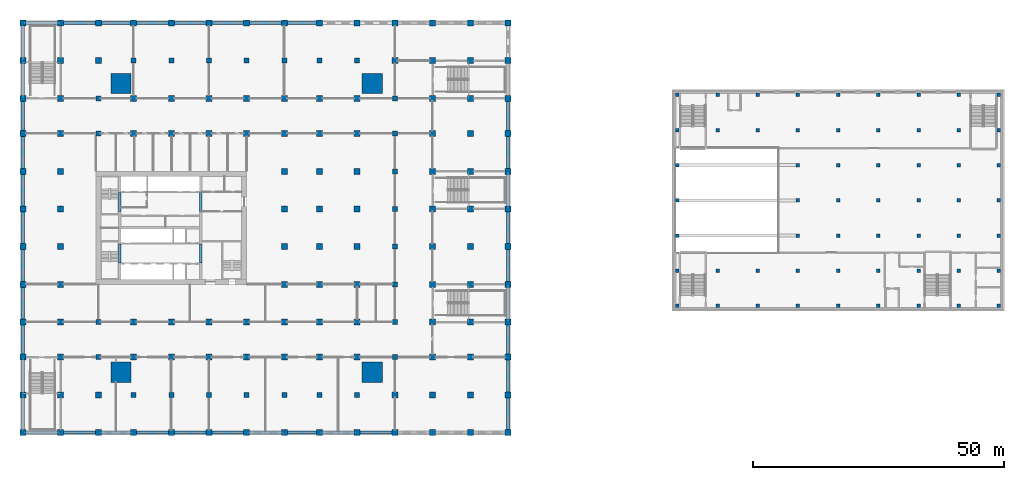
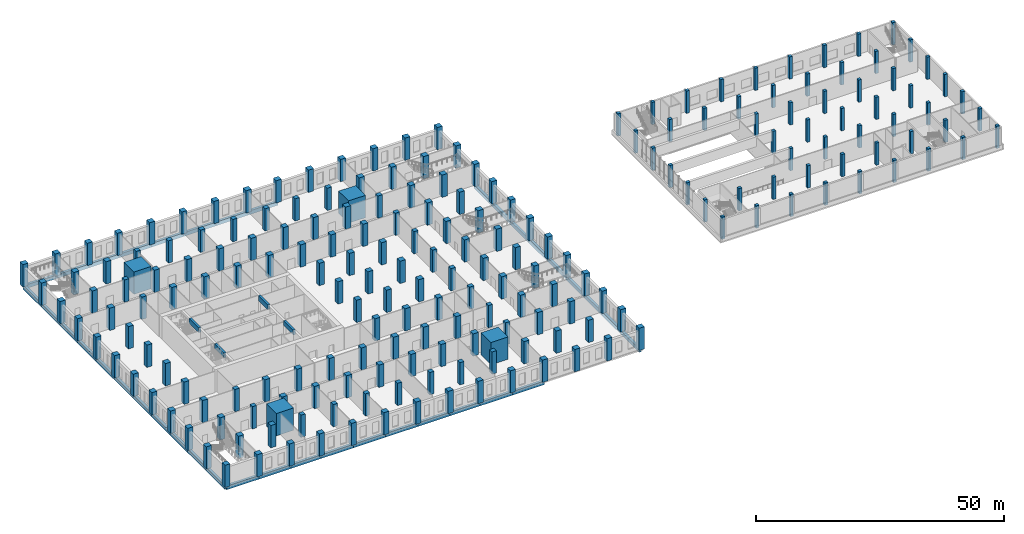
# One storey, part 1 of 35: 209 columns, 42 beams.
"""IFC4 building model written with IfcOpenShell, lengths in metres."""

from ifc_helpers import new_model, si_unit, direction, frame, origin, origin_2d, place, context, subcontext, project, spatial, rectangle, extrude, material, material_profile, profile_set, type_object, element, save


model = new_model("IFC4")

# Units and contexts
model_context = context("Model", 3, precision=1e-05, world=origin(), true_north=direction((0.0, 1.0)))
body_context = subcontext(model_context, "Body", "Model", "MODEL_VIEW")
ifc_project = project(units=[si_unit("LENGTHUNIT", "METRE"), si_unit("AREAUNIT", "SQUARE_METRE"), si_unit("VOLUMEUNIT", "CUBIC_METRE"), si_unit("PLANEANGLEUNIT", "RADIAN"), si_unit("MASSUNIT", "GRAM", prefix="KILO")], contexts=[model_context])

# Site, building, storey
site_placement = place(None, origin())
site = spatial("IfcSite", under=ifc_project, at=site_placement, CompositionType="ELEMENT")
building_placement = place(site_placement, origin())
building = spatial("IfcBuilding", under=site, at=building_placement, Name="Tamorin Gate", CompositionType="ELEMENT")
storey_placement = place(building_placement, frame((0.0, 0.0, 8.0)))
storey = spatial("IfcBuildingStorey", under=building, at=storey_placement, Name="L01", CompositionType="ELEMENT", Elevation=8.0)

# Columns
ifc_material_1 = material(Name="Concrete C80/95", Category="concrete")
ifc_material_profile_1 = material_profile(ifc_material_1, rectangle(XDim=1.0, YDim=1.0, at=origin_2d()), Name="RC 1000x1000")
ifc_profile_set_1 = profile_set([ifc_material_profile_1], Name="Concrete C80/95")
column_type_1 = type_object("IfcColumnType", Name="RC column 1000x1000 C80/95", PredefinedType="COLUMN", material=ifc_profile_set_1)
for number, where, z_axis, x_axis, name in (
    (1, (30.5, 45.5, 0.0), (0.0, 0.0, 1.0), (1.0, 0.0, 0.0), "Ring column L01"),
    (2, (30.5, 52.5, 0.0), (0.0, 0.0, 1.0), (1.0, 0.0, 0.0), "Ring column L01"),
    (3, (30.5, 90.0, 0.0), (0.0, 0.0, 1.0), (1.0, 0.0, 0.0), "Ring column L01"),
    (4, (30.5, 97.0, 0.0), (0.0, 0.0, 1.0), (1.0, 0.0, 0.0), "Ring column L01"),
    (5, (37.5, 38.0, 0.0), (0.0, 0.0, 1.0), (1.0, 0.0, 0.0), "Ring column L01"),
    (6, (37.5, 104.5, 0.0), (0.0, 0.0, 1.0), (1.0, 0.0, 0.0), "Ring column L01"),
    (7, (45.0, 38.0, 0.0), (0.0, 0.0, 1.0), (1.0, 0.0, 0.0), "Ring column L01"),
    (8, (45.0, 104.5, 0.0), (0.0, 0.0, 1.0), (1.0, 0.0, 0.0), "Ring column L01"),
    (9, (52.5, 38.0, 0.0), (0.0, 0.0, 1.0), (1.0, 0.0, 0.0), "Ring column L01"),
    (10, (52.5, 104.5, 0.0), (0.0, 0.0, 1.0), (1.0, 0.0, 0.0), "Ring column L01"),
    (11, (60.0, 38.0, 0.0), (0.0, 0.0, 1.0), (1.0, 0.0, 0.0), "Ring column L01"),
    (12, (60.0, 104.5, 0.0), (0.0, 0.0, 1.0), (1.0, 0.0, 0.0), "Ring column L01"),
    (13, (67.5, 38.0, 0.0), (0.0, 0.0, 1.0), (1.0, 0.0, 0.0), "Ring column L01"),
    (14, (67.5, 104.5, 0.0), (0.0, 0.0, 1.0), (1.0, 0.0, 0.0), "Ring column L01"),
    (15, (74.5, 38.0, 0.0), (0.0, 0.0, 1.0), (1.0, 0.0, 0.0), "Ring column L01"),
    (16, (74.5, 104.5, 0.0), (0.0, 0.0, 1.0), (1.0, 0.0, 0.0), "Ring column L01"),
    (17, (82.0, 38.0, 0.0), (0.0, 0.0, 1.0), (1.0, 0.0, 0.0), "Ring column L01"),
    (18, (82.0, 104.5, 0.0), (0.0, 0.0, 1.0), (1.0, 0.0, 0.0), "Ring column L01"),
    (19, (89.5, 45.5, 0.0), (0.0, 0.0, 1.0), (1.0, 0.0, 0.0), "Ring column L01"),
    (20, (89.5, 52.5, 0.0), (0.0, 0.0, 1.0), (1.0, 0.0, 0.0), "Ring column L01"),
    (21, (89.5, 60.0, 0.0), (0.0, 0.0, 1.0), (1.0, 0.0, 0.0), "Ring column L01"),
    (22, (89.5, 67.5, 0.0), (0.0, 0.0, 1.0), (1.0, 0.0, 0.0), "Ring column L01"),
    (23, (89.5, 75.0, 0.0), (0.0, 0.0, 1.0), (1.0, 0.0, 0.0), "Ring column L01"),
    (24, (89.5, 82.5, 0.0), (0.0, 0.0, 1.0), (1.0, 0.0, 0.0), "Ring column L01"),
    (25, (89.5, 90.0, 0.0), (0.0, 0.0, 1.0), (1.0, 0.0, 0.0), "Ring column L01"),
    (26, (89.5, 97.0, 0.0), (0.0, 0.0, 1.0), (1.0, 0.0, 0.0), "Ring column L01"),
):
    element("IfcColumn", number, at=place(storey_placement, frame(where, z_axis=z_axis, x_axis=x_axis)), inside=storey, type_object=column_type_1, Name=name, PredefinedType="COLUMN", context=body_context, shape_type="SweptSolid", body=[
        extrude(rectangle(XDim=1.0, YDim=1.0, at=origin_2d()), origin(), (0.0, 0.0, 1.0), 5.5),
    ])
ifc_material_profile_2 = material_profile(ifc_material_1, rectangle(XDim=1.199951171875, YDim=1.199951171875, at=origin_2d()), Name="RC 1200x1200")
ifc_profile_set_2 = profile_set([ifc_material_profile_2], Name="Concrete C80/95")
column_type_2 = type_object("IfcColumnType", Name="RC column 1200x1200 C80/95", PredefinedType="COLUMN", material=ifc_profile_set_2)
for number, where, z_axis, x_axis, name in (
    (27, (37.5, 45.5, 0.0), (0.0, 0.0, 1.0), (1.0, 0.0, 0.0), "Interior column L01"),
    (28, (37.5, 52.5, 0.0), (0.0, 0.0, 1.0), (1.0, 0.0, 0.0), "Interior column L01"),
    (29, (37.5, 90.0, 0.0), (0.0, 0.0, 1.0), (1.0, 0.0, 0.0), "Interior column L01"),
    (30, (37.5, 97.0, 0.0), (0.0, 0.0, 1.0), (1.0, 0.0, 0.0), "Interior column L01"),
    (31, (45.0, 45.5, 0.0), (0.0, 0.0, 1.0), (1.0, 0.0, 0.0), "Interior column L01"),
    (32, (45.0, 52.5, 0.0), (0.0, 0.0, 1.0), (1.0, 0.0, 0.0), "Interior column L01"),
    (33, (45.0, 90.0, 0.0), (0.0, 0.0, 1.0), (1.0, 0.0, 0.0), "Interior column L01"),
    (34, (45.0, 97.0, 0.0), (0.0, 0.0, 1.0), (1.0, 0.0, 0.0), "Interior column L01"),
    (35, (52.5, 45.5, 0.0), (0.0, 0.0, 1.0), (1.0, 0.0, 0.0), "Interior column L01"),
    (36, (52.5, 52.5, 0.0), (0.0, 0.0, 1.0), (1.0, 0.0, 0.0), "Interior column L01"),
    (37, (52.5, 90.0, 0.0), (0.0, 0.0, 1.0), (1.0, 0.0, 0.0), "Interior column L01"),
    (38, (52.5, 97.0, 0.0), (0.0, 0.0, 1.0), (1.0, 0.0, 0.0), "Interior column L01"),
    (39, (60.0, 45.5, 0.0), (0.0, 0.0, 1.0), (1.0, 0.0, 0.0), "Interior column L01"),
    (40, (60.0, 52.5, 0.0), (0.0, 0.0, 1.0), (1.0, 0.0, 0.0), "Interior column L01"),
    (41, (60.0, 90.0, 0.0), (0.0, 0.0, 1.0), (1.0, 0.0, 0.0), "Interior column L01"),
    (42, (60.0, 97.0, 0.0), (0.0, 0.0, 1.0), (1.0, 0.0, 0.0), "Interior column L01"),
    (43, (67.5, 45.5, 0.0), (0.0, 0.0, 1.0), (1.0, 0.0, 0.0), "Interior column L01"),
    (44, (67.5, 52.5, 0.0), (0.0, 0.0, 1.0), (1.0, 0.0, 0.0), "Interior column L01"),
    (45, (67.5, 60.0, 0.0), (0.0, 0.0, 1.0), (1.0, 0.0, 0.0), "Interior column L01"),
    (46, (67.5, 67.5, 0.0), (0.0, 0.0, 1.0), (1.0, 0.0, 0.0), "Interior column L01"),
    (47, (67.5, 75.0, 0.0), (0.0, 0.0, 1.0), (1.0, 0.0, 0.0), "Interior column L01"),
    (48, (67.5, 82.5, 0.0), (0.0, 0.0, 1.0), (1.0, 0.0, 0.0), "Interior column L01"),
    (49, (67.5, 90.0, 0.0), (0.0, 0.0, 1.0), (1.0, 0.0, 0.0), "Interior column L01"),
    (50, (67.5, 97.0, 0.0), (0.0, 0.0, 1.0), (1.0, 0.0, 0.0), "Interior column L01"),
    (51, (74.5, 45.5, 0.0), (0.0, 0.0, 1.0), (1.0, 0.0, 0.0), "Interior column L01"),
    (52, (74.5, 52.5, 0.0), (0.0, 0.0, 1.0), (1.0, 0.0, 0.0), "Interior column L01"),
    (53, (74.5, 60.0, 0.0), (0.0, 0.0, 1.0), (1.0, 0.0, 0.0), "Interior column L01"),
    (54, (74.5, 67.5, 0.0), (0.0, 0.0, 1.0), (1.0, 0.0, 0.0), "Interior column L01"),
    (55, (74.5, 75.0, 0.0), (0.0, 0.0, 1.0), (1.0, 0.0, 0.0), "Interior column L01"),
    (56, (74.5, 82.5, 0.0), (0.0, 0.0, 1.0), (1.0, 0.0, 0.0), "Interior column L01"),
    (57, (74.5, 90.0, 0.0), (0.0, 0.0, 1.0), (1.0, 0.0, 0.0), "Interior column L01"),
    (58, (74.5, 97.0, 0.0), (0.0, 0.0, 1.0), (1.0, 0.0, 0.0), "Interior column L01"),
    (59, (82.0, 45.5, 0.0), (0.0, 0.0, 1.0), (1.0, 0.0, 0.0), "Interior column L01"),
    (60, (82.0, 52.5, 0.0), (0.0, 0.0, 1.0), (1.0, 0.0, 0.0), "Interior column L01"),
    (61, (82.0, 60.0, 0.0), (0.0, 0.0, 1.0), (1.0, 0.0, 0.0), "Interior column L01"),
    (62, (82.0, 67.5, 0.0), (0.0, 0.0, 1.0), (1.0, 0.0, 0.0), "Interior column L01"),
    (63, (82.0, 75.0, 0.0), (0.0, 0.0, 1.0), (1.0, 0.0, 0.0), "Interior column L01"),
    (64, (82.0, 82.5, 0.0), (0.0, 0.0, 1.0), (1.0, 0.0, 0.0), "Interior column L01"),
    (65, (82.0, 90.0, 0.0), (0.0, 0.0, 1.0), (1.0, 0.0, 0.0), "Interior column L01"),
    (66, (82.0, 97.0, 0.0), (0.0, 0.0, 1.0), (1.0, 0.0, 0.0), "Interior column L01"),
    (67, (15.5, 30.5, 0.0), (0.0, 0.0, 1.0), (1.0, 0.0, 0.0), "Podium column L01"),
    (68, (15.5, 38.0, 0.0), (0.0, 0.0, 1.0), (1.0, 0.0, 0.0), "Podium column L01"),
    (69, (15.5, 45.5, 0.0), (0.0, 0.0, 1.0), (1.0, 0.0, 0.0), "Podium column L01"),
    (70, (15.5, 52.5, 0.0), (0.0, 0.0, 1.0), (1.0, 0.0, 0.0), "Podium column L01"),
    (71, (15.5, 60.0, 0.0), (0.0, 0.0, 1.0), (1.0, 0.0, 0.0), "Podium column L01"),
    (72, (15.5, 67.5, 0.0), (0.0, 0.0, 1.0), (1.0, 0.0, 0.0), "Podium column L01"),
    (73, (15.5, 75.0, 0.0), (0.0, 0.0, 1.0), (1.0, 0.0, 0.0), "Podium column L01"),
    (74, (15.5, 82.5, 0.0), (0.0, 0.0, 1.0), (1.0, 0.0, 0.0), "Podium column L01"),
    (75, (15.5, 90.0, 0.0), (0.0, 0.0, 1.0), (1.0, 0.0, 0.0), "Podium column L01"),
    (76, (15.5, 97.0, 0.0), (0.0, 0.0, 1.0), (1.0, 0.0, 0.0), "Podium column L01"),
    (77, (15.5, 104.5, 0.0), (0.0, 0.0, 1.0), (1.0, 0.0, 0.0), "Podium column L01"),
    (78, (15.5, 112.0, 0.0), (0.0, 0.0, 1.0), (1.0, 0.0, 0.0), "Podium column L01"),
    (79, (23.0, 30.5, 0.0), (0.0, 0.0, 1.0), (1.0, 0.0, 0.0), "Podium column L01"),
    (80, (23.0, 38.0, 0.0), (0.0, 0.0, 1.0), (1.0, 0.0, 0.0), "Podium column L01"),
    (81, (23.0, 45.5, 0.0), (0.0, 0.0, 1.0), (1.0, 0.0, 0.0), "Podium column L01"),
    (82, (23.0, 52.5, 0.0), (0.0, 0.0, 1.0), (1.0, 0.0, 0.0), "Podium column L01"),
    (83, (23.0, 60.0, 0.0), (0.0, 0.0, 1.0), (1.0, 0.0, 0.0), "Podium column L01"),
    (84, (23.0, 67.5, 0.0), (0.0, 0.0, 1.0), (1.0, 0.0, 0.0), "Podium column L01"),
    (85, (23.0, 75.0, 0.0), (0.0, 0.0, 1.0), (1.0, 0.0, 0.0), "Podium column L01"),
    (86, (23.0, 82.5, 0.0), (0.0, 0.0, 1.0), (1.0, 0.0, 0.0), "Podium column L01"),
    (87, (23.0, 90.0, 0.0), (0.0, 0.0, 1.0), (1.0, 0.0, 0.0), "Podium column L01"),
    (88, (23.0, 97.0, 0.0), (0.0, 0.0, 1.0), (1.0, 0.0, 0.0), "Podium column L01"),
    (89, (23.0, 104.5, 0.0), (0.0, 0.0, 1.0), (1.0, 0.0, 0.0), "Podium column L01"),
    (90, (23.0, 112.0, 0.0), (0.0, 0.0, 1.0), (1.0, 0.0, 0.0), "Podium column L01"),
    (91, (30.5, 30.5, 0.0), (0.0, 0.0, 1.0), (1.0, 0.0, 0.0), "Podium column L01"),
    (92, (30.5, 38.0, 0.0), (0.0, 0.0, 1.0), (1.0, 0.0, 0.0), "Podium column L01"),
    (93, (30.5, 104.5, 0.0), (0.0, 0.0, 1.0), (1.0, 0.0, 0.0), "Podium column L01"),
    (94, (30.5, 112.0, 0.0), (0.0, 0.0, 1.0), (1.0, 0.0, 0.0), "Podium column L01"),
    (95, (37.5, 30.5, 0.0), (0.0, 0.0, 1.0), (1.0, 0.0, 0.0), "Podium column L01"),
    (96, (37.5, 112.0, 0.0), (0.0, 0.0, 1.0), (1.0, 0.0, 0.0), "Podium column L01"),
    (97, (45.0, 30.5, 0.0), (0.0, 0.0, 1.0), (1.0, 0.0, 0.0), "Podium column L01"),
    (98, (45.0, 112.0, 0.0), (0.0, 0.0, 1.0), (1.0, 0.0, 0.0), "Podium column L01"),
    (99, (52.5, 30.5, 0.0), (0.0, 0.0, 1.0), (1.0, 0.0, 0.0), "Podium column L01"),
    (100, (52.5, 112.0, 0.0), (0.0, 0.0, 1.0), (1.0, 0.0, 0.0), "Podium column L01"),
    (101, (60.0, 30.5, 0.0), (0.0, 0.0, 1.0), (1.0, 0.0, 0.0), "Podium column L01"),
    (102, (60.0, 112.0, 0.0), (0.0, 0.0, 1.0), (1.0, 0.0, 0.0), "Podium column L01"),
    (103, (67.5, 30.5, 0.0), (0.0, 0.0, 1.0), (1.0, 0.0, 0.0), "Podium column L01"),
    (104, (67.5, 112.0, 0.0), (0.0, 0.0, 1.0), (1.0, 0.0, 0.0), "Podium column L01"),
    (105, (74.5, 30.5, 0.0), (0.0, 0.0, 1.0), (1.0, 0.0, 0.0), "Podium column L01"),
    (106, (74.5, 112.0, 0.0), (0.0, 0.0, 1.0), (1.0, 0.0, 0.0), "Podium column L01"),
    (107, (82.0, 30.5, 0.0), (0.0, 0.0, 1.0), (1.0, 0.0, 0.0), "Podium column L01"),
    (108, (82.0, 112.0, 0.0), (0.0, 0.0, 1.0), (1.0, 0.0, 0.0), "Podium column L01"),
    (109, (89.5, 30.5, 0.0), (0.0, 0.0, 1.0), (1.0, 0.0, 0.0), "Podium column L01"),
    (110, (89.5, 38.0, 0.0), (0.0, 0.0, 1.0), (1.0, 0.0, 0.0), "Podium column L01"),
    (111, (89.5, 104.5, 0.0), (0.0, 0.0, 1.0), (1.0, 0.0, 0.0), "Podium column L01"),
    (112, (89.5, 112.0, 0.0), (0.0, 0.0, 1.0), (1.0, 0.0, 0.0), "Podium column L01"),
    (113, (97.0, 30.5, 0.0), (0.0, 0.0, 1.0), (1.0, 0.0, 0.0), "Podium column L01"),
    (114, (97.0, 38.0, 0.0), (0.0, 0.0, 1.0), (1.0, 0.0, 0.0), "Podium column L01"),
    (115, (97.0, 45.5, 0.0), (0.0, 0.0, 1.0), (1.0, 0.0, 0.0), "Podium column L01"),
    (116, (97.0, 52.5, 0.0), (0.0, 0.0, 1.0), (1.0, 0.0, 0.0), "Podium column L01"),
    (117, (97.0, 60.0, 0.0), (0.0, 0.0, 1.0), (1.0, 0.0, 0.0), "Podium column L01"),
    (118, (97.0, 67.5, 0.0), (0.0, 0.0, 1.0), (1.0, 0.0, 0.0), "Podium column L01"),
    (119, (97.0, 75.0, 0.0), (0.0, 0.0, 1.0), (1.0, 0.0, 0.0), "Podium column L01"),
    (120, (97.0, 82.5, 0.0), (0.0, 0.0, 1.0), (1.0, 0.0, 0.0), "Podium column L01"),
    (121, (97.0, 90.0, 0.0), (0.0, 0.0, 1.0), (1.0, 0.0, 0.0), "Podium column L01"),
    (122, (97.0, 97.0, 0.0), (0.0, 0.0, 1.0), (1.0, 0.0, 0.0), "Podium column L01"),
    (123, (97.0, 104.5, 0.0), (0.0, 0.0, 1.0), (1.0, 0.0, 0.0), "Podium column L01"),
    (124, (97.0, 112.0, 0.0), (0.0, 0.0, 1.0), (1.0, 0.0, 0.0), "Podium column L01"),
    (125, (104.5, 30.5, 0.0), (0.0, 0.0, 1.0), (1.0, 0.0, 0.0), "Podium column L01"),
    (126, (104.5, 38.0, 0.0), (0.0, 0.0, 1.0), (1.0, 0.0, 0.0), "Podium column L01"),
    (127, (104.5, 45.5, 0.0), (0.0, 0.0, 1.0), (1.0, 0.0, 0.0), "Podium column L01"),
    (128, (104.5, 52.5, 0.0), (0.0, 0.0, 1.0), (1.0, 0.0, 0.0), "Podium column L01"),
    (129, (104.5, 60.0, 0.0), (0.0, 0.0, 1.0), (1.0, 0.0, 0.0), "Podium column L01"),
    (130, (104.5, 67.5, 0.0), (0.0, 0.0, 1.0), (1.0, 0.0, 0.0), "Podium column L01"),
    (131, (104.5, 75.0, 0.0), (0.0, 0.0, 1.0), (1.0, 0.0, 0.0), "Podium column L01"),
    (132, (104.5, 82.5, 0.0), (0.0, 0.0, 1.0), (1.0, 0.0, 0.0), "Podium column L01"),
    (133, (104.5, 90.0, 0.0), (0.0, 0.0, 1.0), (1.0, 0.0, 0.0), "Podium column L01"),
    (134, (104.5, 97.0, 0.0), (0.0, 0.0, 1.0), (1.0, 0.0, 0.0), "Podium column L01"),
    (135, (104.5, 104.5, 0.0), (0.0, 0.0, 1.0), (1.0, 0.0, 0.0), "Podium column L01"),
    (136, (104.5, 112.0, 0.0), (0.0, 0.0, 1.0), (1.0, 0.0, 0.0), "Podium column L01"),
    (137, (112.0, 30.5, 0.0), (0.0, 0.0, 1.0), (1.0, 0.0, 0.0), "Podium column L01"),
    (138, (112.0, 38.0, 0.0), (0.0, 0.0, 1.0), (1.0, 0.0, 0.0), "Podium column L01"),
    (139, (112.0, 45.5, 0.0), (0.0, 0.0, 1.0), (1.0, 0.0, 0.0), "Podium column L01"),
    (140, (112.0, 52.5, 0.0), (0.0, 0.0, 1.0), (1.0, 0.0, 0.0), "Podium column L01"),
    (141, (112.0, 60.0, 0.0), (0.0, 0.0, 1.0), (1.0, 0.0, 0.0), "Podium column L01"),
    (142, (112.0, 67.5, 0.0), (0.0, 0.0, 1.0), (1.0, 0.0, 0.0), "Podium column L01"),
    (143, (112.0, 75.0, 0.0), (0.0, 0.0, 1.0), (1.0, 0.0, 0.0), "Podium column L01"),
    (144, (112.0, 82.5, 0.0), (0.0, 0.0, 1.0), (1.0, 0.0, 0.0), "Podium column L01"),
    (145, (112.0, 90.0, 0.0), (0.0, 0.0, 1.0), (1.0, 0.0, 0.0), "Podium column L01"),
    (146, (112.0, 97.0, 0.0), (0.0, 0.0, 1.0), (1.0, 0.0, 0.0), "Podium column L01"),
    (147, (112.0, 104.5, 0.0), (0.0, 0.0, 1.0), (1.0, 0.0, 0.0), "Podium column L01"),
    (148, (112.0, 112.0, 0.0), (0.0, 0.0, 1.0), (1.0, 0.0, 0.0), "Podium column L01"),
):
    element("IfcColumn", number, at=place(storey_placement, frame(where, z_axis=z_axis, x_axis=x_axis)), inside=storey, type_object=column_type_2, Name=name, PredefinedType="COLUMN", context=body_context, shape_type="SweptSolid", body=[
        extrude(rectangle(XDim=1.199951171875, YDim=1.199951171875, at=origin_2d()), origin(), (0.0, 0.0, 1.0), 5.5),
    ])
ifc_material_profile_3 = material_profile(ifc_material_1, rectangle(XDim=4.0, YDim=4.0, at=origin_2d()), Name="RC 4000x4000")
ifc_profile_set_3 = profile_set([ifc_material_profile_3], Name="Concrete C80/95")
column_type_3 = type_object("IfcColumnType", Name="RC column 4000x4000 C80/95", PredefinedType="COLUMN", material=ifc_profile_set_3)
for number, where, z_axis, x_axis, name in (
    (149, (35.0, 42.5, 0.0), (0.0, 0.0, 1.0), (1.0, 0.0, 0.0), "Mega column SW L01"),
    (150, (85.0, 42.5, 0.0), (0.0, 0.0, 1.0), (1.0, 0.0, 0.0), "Mega column SE L01"),
    (151, (35.0, 100.0, 0.0), (0.0, 0.0, 1.0), (1.0, 0.0, 0.0), "Mega column NW L01"),
    (152, (85.0, 100.0, 0.0), (0.0, 0.0, 1.0), (1.0, 0.0, 0.0), "Mega column NE L01"),
):
    element("IfcColumn", number, at=place(storey_placement, frame(where, z_axis=z_axis, x_axis=x_axis)), inside=storey, type_object=column_type_3, Name=name, PredefinedType="COLUMN", context=body_context, shape_type="SweptSolid", body=[
        extrude(rectangle(XDim=4.0, YDim=4.0, at=origin_2d()), origin(), (0.0, 0.0, 1.0), 5.5),
    ])
ifc_material_2 = material(Name="Concrete C50/60", Category="concrete")
ifc_material_profile_4 = material_profile(ifc_material_2, rectangle(XDim=0.699951171875, YDim=0.699951171875, at=origin_2d()), Name="RC 700x700")
ifc_profile_set_4 = profile_set([ifc_material_profile_4], Name="Concrete C50/60")
column_type_4 = type_object("IfcColumnType", Name="RC column 700x700 C50/60", PredefinedType="COLUMN", material=ifc_profile_set_4)
for number, where, z_axis, x_axis, name in (
    (153, (145.699951171875, 55.699951171875, 0.0), (0.0, 0.0, 1.0), (1.0, 0.0, 0.0), "Museum column L01"),
    (154, (145.699951171875, 62.699951171875, 0.0), (0.0, 0.0, 1.0), (1.0, 0.0, 0.0), "Museum column L01"),
    (155, (145.699951171875, 69.699951171875, 0.0), (0.0, 0.0, 1.0), (1.0, 0.0, 0.0), "Museum column L01"),
    (156, (145.699951171875, 76.699951171875, 0.0), (0.0, 0.0, 1.0), (1.0, 0.0, 0.0), "Museum column L01"),
    (157, (145.699951171875, 83.699951171875, 0.0), (0.0, 0.0, 1.0), (1.0, 0.0, 0.0), "Museum column L01"),
    (158, (145.699951171875, 90.699951171875, 0.0), (0.0, 0.0, 1.0), (1.0, 0.0, 0.0), "Museum column L01"),
    (159, (145.699951171875, 97.699951171875, 0.0), (0.0, 0.0, 1.0), (1.0, 0.0, 0.0), "Museum column L01"),
    (160, (153.699951171875, 55.699951171875, 0.0), (0.0, 0.0, 1.0), (1.0, 0.0, 0.0), "Museum column L01"),
    (161, (153.699951171875, 62.699951171875, 0.0), (0.0, 0.0, 1.0), (1.0, 0.0, 0.0), "Museum column L01"),
    (162, (153.699951171875, 90.699951171875, 0.0), (0.0, 0.0, 1.0), (1.0, 0.0, 0.0), "Museum column L01"),
    (163, (153.699951171875, 97.699951171875, 0.0), (0.0, 0.0, 1.0), (1.0, 0.0, 0.0), "Museum column L01"),
    (164, (161.699951171875, 55.699951171875, 0.0), (0.0, 0.0, 1.0), (1.0, 0.0, 0.0), "Museum column L01"),
    (165, (161.699951171875, 62.699951171875, 0.0), (0.0, 0.0, 1.0), (1.0, 0.0, 0.0), "Museum column L01"),
    (166, (161.699951171875, 90.699951171875, 0.0), (0.0, 0.0, 1.0), (1.0, 0.0, 0.0), "Museum column L01"),
    (167, (161.699951171875, 97.699951171875, 0.0), (0.0, 0.0, 1.0), (1.0, 0.0, 0.0), "Museum column L01"),
    (168, (169.699951171875, 55.699951171875, 0.0), (0.0, 0.0, 1.0), (1.0, 0.0, 0.0), "Museum column L01"),
    (169, (169.699951171875, 62.699951171875, 0.0), (0.0, 0.0, 1.0), (1.0, 0.0, 0.0), "Museum column L01"),
    (170, (169.699951171875, 69.699951171875, 0.0), (0.0, 0.0, 1.0), (1.0, 0.0, 0.0), "Museum column L01"),
    (171, (169.699951171875, 76.699951171875, 0.0), (0.0, 0.0, 1.0), (1.0, 0.0, 0.0), "Museum column L01"),
    (172, (169.699951171875, 83.699951171875, 0.0), (0.0, 0.0, 1.0), (1.0, 0.0, 0.0), "Museum column L01"),
    (173, (169.699951171875, 90.699951171875, 0.0), (0.0, 0.0, 1.0), (1.0, 0.0, 0.0), "Museum column L01"),
    (174, (169.699951171875, 97.699951171875, 0.0), (0.0, 0.0, 1.0), (1.0, 0.0, 0.0), "Museum column L01"),
    (175, (177.699951171875, 55.699951171875, 0.0), (0.0, 0.0, 1.0), (1.0, 0.0, 0.0), "Museum column L01"),
    (176, (177.699951171875, 62.699951171875, 0.0), (0.0, 0.0, 1.0), (1.0, 0.0, 0.0), "Museum column L01"),
    (177, (177.699951171875, 69.699951171875, 0.0), (0.0, 0.0, 1.0), (1.0, 0.0, 0.0), "Museum column L01"),
    (178, (177.699951171875, 76.699951171875, 0.0), (0.0, 0.0, 1.0), (1.0, 0.0, 0.0), "Museum column L01"),
    (179, (177.699951171875, 83.699951171875, 0.0), (0.0, 0.0, 1.0), (1.0, 0.0, 0.0), "Museum column L01"),
    (180, (177.699951171875, 90.699951171875, 0.0), (0.0, 0.0, 1.0), (1.0, 0.0, 0.0), "Museum column L01"),
    (181, (177.699951171875, 97.699951171875, 0.0), (0.0, 0.0, 1.0), (1.0, 0.0, 0.0), "Museum column L01"),
    (182, (185.699951171875, 55.699951171875, 0.0), (0.0, 0.0, 1.0), (1.0, 0.0, 0.0), "Museum column L01"),
    (183, (185.699951171875, 62.699951171875, 0.0), (0.0, 0.0, 1.0), (1.0, 0.0, 0.0), "Museum column L01"),
    (184, (185.699951171875, 69.699951171875, 0.0), (0.0, 0.0, 1.0), (1.0, 0.0, 0.0), "Museum column L01"),
    (185, (185.699951171875, 76.699951171875, 0.0), (0.0, 0.0, 1.0), (1.0, 0.0, 0.0), "Museum column L01"),
    (186, (185.699951171875, 83.699951171875, 0.0), (0.0, 0.0, 1.0), (1.0, 0.0, 0.0), "Museum column L01"),
    (187, (185.699951171875, 90.699951171875, 0.0), (0.0, 0.0, 1.0), (1.0, 0.0, 0.0), "Museum column L01"),
    (188, (185.699951171875, 97.699951171875, 0.0), (0.0, 0.0, 1.0), (1.0, 0.0, 0.0), "Museum column L01"),
    (189, (193.699951171875, 55.699951171875, 0.0), (0.0, 0.0, 1.0), (1.0, 0.0, 0.0), "Museum column L01"),
    (190, (193.699951171875, 62.699951171875, 0.0), (0.0, 0.0, 1.0), (1.0, 0.0, 0.0), "Museum column L01"),
    (191, (193.699951171875, 69.699951171875, 0.0), (0.0, 0.0, 1.0), (1.0, 0.0, 0.0), "Museum column L01"),
    (192, (193.699951171875, 76.699951171875, 0.0), (0.0, 0.0, 1.0), (1.0, 0.0, 0.0), "Museum column L01"),
    (193, (193.699951171875, 83.699951171875, 0.0), (0.0, 0.0, 1.0), (1.0, 0.0, 0.0), "Museum column L01"),
    (194, (193.699951171875, 90.699951171875, 0.0), (0.0, 0.0, 1.0), (1.0, 0.0, 0.0), "Museum column L01"),
    (195, (193.699951171875, 97.699951171875, 0.0), (0.0, 0.0, 1.0), (1.0, 0.0, 0.0), "Museum column L01"),
    (196, (201.699951171875, 55.699951171875, 0.0), (0.0, 0.0, 1.0), (1.0, 0.0, 0.0), "Museum column L01"),
    (197, (201.699951171875, 62.699951171875, 0.0), (0.0, 0.0, 1.0), (1.0, 0.0, 0.0), "Museum column L01"),
    (198, (201.699951171875, 69.699951171875, 0.0), (0.0, 0.0, 1.0), (1.0, 0.0, 0.0), "Museum column L01"),
    (199, (201.699951171875, 76.699951171875, 0.0), (0.0, 0.0, 1.0), (1.0, 0.0, 0.0), "Museum column L01"),
    (200, (201.699951171875, 83.699951171875, 0.0), (0.0, 0.0, 1.0), (1.0, 0.0, 0.0), "Museum column L01"),
    (201, (201.699951171875, 90.699951171875, 0.0), (0.0, 0.0, 1.0), (1.0, 0.0, 0.0), "Museum column L01"),
    (202, (201.699951171875, 97.699951171875, 0.0), (0.0, 0.0, 1.0), (1.0, 0.0, 0.0), "Museum column L01"),
    (203, (209.699951171875, 55.699951171875, 0.0), (0.0, 0.0, 1.0), (1.0, 0.0, 0.0), "Museum column L01"),
    (204, (209.699951171875, 62.699951171875, 0.0), (0.0, 0.0, 1.0), (1.0, 0.0, 0.0), "Museum column L01"),
    (205, (209.699951171875, 69.699951171875, 0.0), (0.0, 0.0, 1.0), (1.0, 0.0, 0.0), "Museum column L01"),
    (206, (209.699951171875, 76.699951171875, 0.0), (0.0, 0.0, 1.0), (1.0, 0.0, 0.0), "Museum column L01"),
    (207, (209.699951171875, 83.699951171875, 0.0), (0.0, 0.0, 1.0), (1.0, 0.0, 0.0), "Museum column L01"),
    (208, (209.699951171875, 90.699951171875, 0.0), (0.0, 0.0, 1.0), (1.0, 0.0, 0.0), "Museum column L01"),
    (209, (209.699951171875, 97.699951171875, 0.0), (0.0, 0.0, 1.0), (1.0, 0.0, 0.0), "Museum column L01"),
):
    element("IfcColumn", number, at=place(storey_placement, frame(where, z_axis=z_axis, x_axis=x_axis)), inside=storey, type_object=column_type_4, Name=name, PredefinedType="COLUMN", context=body_context, shape_type="SweptSolid", body=[
        extrude(rectangle(XDim=0.699951171875, YDim=0.699951171875, at=origin_2d()), origin(), (0.0, 0.0, 1.0), 5.5),
    ])

# Beams
ifc_material_profile_5 = material_profile(ifc_material_1, rectangle(XDim=0.5, YDim=1.199951171875, at=origin_2d()), Name="RC 500x1200")
ifc_profile_set_5 = profile_set([ifc_material_profile_5], Name="Concrete C80/95")
beam_type_1 = type_object("IfcBeamType", Name="RC coupling beam 500x1200 C80/95", PredefinedType="BEAM", material=ifc_profile_set_5)
for number, where, z_axis, x_axis, name in (
    (210, (34.75, 64.199951171875, 4.89990234375), (0.0, 1.0, 0.0), (-1.0, 0.0, 0.0), "Coupling beam L01"),
    (211, (34.75, 74.449951171875, 4.89990234375), (0.0, 1.0, 0.0), (-1.0, 0.0, 0.0), "Coupling beam L01"),
    (212, (50.85009765625, 64.199951171875, 4.89990234375), (0.0, 1.0, 0.0), (-1.0, 0.0, 0.0), "Coupling beam L01"),
    (213, (50.85009765625, 74.449951171875, 4.89990234375), (0.0, 1.0, 0.0), (-1.0, 0.0, 0.0), "Coupling beam L01"),
):
    element("IfcBeam", number, at=place(storey_placement, frame(where, z_axis=z_axis, x_axis=x_axis)), inside=storey, type_object=beam_type_1, Name=name, PredefinedType="BEAM", context=body_context, shape_type="SweptSolid", body=[
        extrude(rectangle(XDim=0.5, YDim=1.199951171875, at=origin_2d()), origin(), (0.0, 0.0, 1.0), 3.85009765625),
    ])
ifc_material_profile_6 = material_profile(ifc_material_2, rectangle(XDim=0.60009765625, YDim=0.89990234375, at=origin_2d()), Name="RC 600x900")
ifc_profile_set_6 = profile_set([ifc_material_profile_6], Name="Concrete C50/60")
beam_type_2 = type_object("IfcBeamType", Name="RC spandrel 600x900 C50/60", PredefinedType="BEAM", material=ifc_profile_set_6)
for number, where, z_axis, x_axis, name in (
    (214, (15.5, 30.5, -0.449951171875), (1.0, 0.0, 0.0), (0.0, 1.0, 0.0), "Spandrel beam L01"),
    (215, (23.0, 30.5, -0.449951171875), (1.0, 0.0, 0.0), (0.0, 1.0, 0.0), "Spandrel beam L01"),
):
    element("IfcBeam", number, at=place(storey_placement, frame(where, z_axis=z_axis, x_axis=x_axis)), inside=storey, type_object=beam_type_2, Name=name, PredefinedType="BEAM", context=body_context, shape_type="SweptSolid", body=[
        extrude(rectangle(XDim=0.60009765625, YDim=0.89990234375, at=origin_2d()), origin(), (0.0, 0.0, 1.0), 7.5),
    ])
beam_1_placement = place(storey_placement, frame((30.5, 30.5, -0.449951171875), z_axis=(1.0, 0.0, 0.0), x_axis=(0.0, 1.0, 0.0)))
element("IfcBeam", 216, at=beam_1_placement, inside=storey, type_object=beam_type_2, Name="Spandrel beam L01", PredefinedType="BEAM", context=body_context, shape_type="SweptSolid", body=[
    extrude(rectangle(XDim=0.60009765625, YDim=0.89990234375, at=origin_2d()), origin(), (0.0, 0.0, 1.0), 7.0),
])
for number, where, z_axis, x_axis, name in (
    (217, (37.5, 30.5, -0.449951171875), (1.0, 0.0, 0.0), (0.0, 1.0, 0.0), "Spandrel beam L01"),
    (218, (45.0, 30.5, -0.449951171875), (1.0, 0.0, 0.0), (0.0, 1.0, 0.0), "Spandrel beam L01"),
    (219, (52.5, 30.5, -0.449951171875), (1.0, 0.0, 0.0), (0.0, 1.0, 0.0), "Spandrel beam L01"),
    (220, (60.0, 30.5, -0.449951171875), (1.0, 0.0, 0.0), (0.0, 1.0, 0.0), "Spandrel beam L01"),
):
    element("IfcBeam", number, at=place(storey_placement, frame(where, z_axis=z_axis, x_axis=x_axis)), inside=storey, type_object=beam_type_2, Name=name, PredefinedType="BEAM", context=body_context, shape_type="SweptSolid", body=[
        extrude(rectangle(XDim=0.60009765625, YDim=0.89990234375, at=origin_2d()), origin(), (0.0, 0.0, 1.0), 7.5),
    ])
beam_2_placement = place(storey_placement, frame((67.5, 30.5, -0.449951171875), z_axis=(1.0, 0.0, 0.0), x_axis=(0.0, 1.0, 0.0)))
element("IfcBeam", 221, at=beam_2_placement, inside=storey, type_object=beam_type_2, Name="Spandrel beam L01", PredefinedType="BEAM", context=body_context, shape_type="SweptSolid", body=[
    extrude(rectangle(XDim=0.60009765625, YDim=0.89990234375, at=origin_2d()), origin(), (0.0, 0.0, 1.0), 7.0),
])
for number, where, z_axis, x_axis, name in (
    (222, (74.5, 30.5, -0.449951171875), (1.0, 0.0, 0.0), (0.0, 1.0, 0.0), "Spandrel beam L01"),
    (223, (82.0, 30.5, -0.449951171875), (1.0, 0.0, 0.0), (0.0, 1.0, 0.0), "Spandrel beam L01"),
    (224, (112.0, 30.5, -0.449951171875), (0.0, 1.0, 0.0), (-1.0, 0.0, 0.0), "Spandrel beam L01"),
    (225, (112.0, 38.0, -0.449951171875), (0.0, 1.0, 0.0), (-1.0, 0.0, 0.0), "Spandrel beam L01"),
):
    element("IfcBeam", number, at=place(storey_placement, frame(where, z_axis=z_axis, x_axis=x_axis)), inside=storey, type_object=beam_type_2, Name=name, PredefinedType="BEAM", context=body_context, shape_type="SweptSolid", body=[
        extrude(rectangle(XDim=0.60009765625, YDim=0.89990234375, at=origin_2d()), origin(), (0.0, 0.0, 1.0), 7.5),
    ])
beam_3_placement = place(storey_placement, frame((112.0, 45.5, -0.449951171875), z_axis=(0.0, 1.0, 0.0), x_axis=(-1.0, 0.0, 0.0)))
element("IfcBeam", 226, at=beam_3_placement, inside=storey, type_object=beam_type_2, Name="Spandrel beam L01", PredefinedType="BEAM", context=body_context, shape_type="SweptSolid", body=[
    extrude(rectangle(XDim=0.60009765625, YDim=0.89990234375, at=origin_2d()), origin(), (0.0, 0.0, 1.0), 7.0),
])
for number, where, z_axis, x_axis, name in (
    (227, (112.0, 52.5, -0.449951171875), (0.0, 1.0, 0.0), (-1.0, 0.0, 0.0), "Spandrel beam L01"),
    (228, (112.0, 60.0, -0.449951171875), (0.0, 1.0, 0.0), (-1.0, 0.0, 0.0), "Spandrel beam L01"),
    (229, (112.0, 67.5, -0.449951171875), (0.0, 1.0, 0.0), (-1.0, 0.0, 0.0), "Spandrel beam L01"),
    (230, (112.0, 75.0, -0.449951171875), (0.0, 1.0, 0.0), (-1.0, 0.0, 0.0), "Spandrel beam L01"),
    (231, (112.0, 82.5, -0.449951171875), (0.0, 1.0, 0.0), (-1.0, 0.0, 0.0), "Spandrel beam L01"),
):
    element("IfcBeam", number, at=place(storey_placement, frame(where, z_axis=z_axis, x_axis=x_axis)), inside=storey, type_object=beam_type_2, Name=name, PredefinedType="BEAM", context=body_context, shape_type="SweptSolid", body=[
        extrude(rectangle(XDim=0.60009765625, YDim=0.89990234375, at=origin_2d()), origin(), (0.0, 0.0, 1.0), 7.5),
    ])
for number, where, z_axis, x_axis, name in (
    (232, (112.0, 90.0, -0.449951171875), (0.0, 1.0, 0.0), (-1.0, 0.0, 0.0), "Spandrel beam L01"),
    (233, (74.5, 112.0, -0.449951171875), (-1.0, 0.0, 0.0), (0.0, -1.0, 0.0), "Spandrel beam L01"),
):
    element("IfcBeam", number, at=place(storey_placement, frame(where, z_axis=z_axis, x_axis=x_axis)), inside=storey, type_object=beam_type_2, Name=name, PredefinedType="BEAM", context=body_context, shape_type="SweptSolid", body=[
        extrude(rectangle(XDim=0.60009765625, YDim=0.89990234375, at=origin_2d()), origin(), (0.0, 0.0, 1.0), 7.0),
    ])
for number, where, z_axis, x_axis, name in (
    (234, (67.5, 112.0, -0.449951171875), (-1.0, 0.0, 0.0), (0.0, -1.0, 0.0), "Spandrel beam L01"),
    (235, (60.0, 112.0, -0.449951171875), (-1.0, 0.0, 0.0), (0.0, -1.0, 0.0), "Spandrel beam L01"),
    (236, (52.5, 112.0, -0.449951171875), (-1.0, 0.0, 0.0), (0.0, -1.0, 0.0), "Spandrel beam L01"),
    (237, (45.0, 112.0, -0.449951171875), (-1.0, 0.0, 0.0), (0.0, -1.0, 0.0), "Spandrel beam L01"),
):
    element("IfcBeam", number, at=place(storey_placement, frame(where, z_axis=z_axis, x_axis=x_axis)), inside=storey, type_object=beam_type_2, Name=name, PredefinedType="BEAM", context=body_context, shape_type="SweptSolid", body=[
        extrude(rectangle(XDim=0.60009765625, YDim=0.89990234375, at=origin_2d()), origin(), (0.0, 0.0, 1.0), 7.5),
    ])
beam_4_placement = place(storey_placement, frame((37.5, 112.0, -0.449951171875), z_axis=(-1.0, 0.0, 0.0), x_axis=(0.0, -1.0, 0.0)))
element("IfcBeam", 238, at=beam_4_placement, inside=storey, type_object=beam_type_2, Name="Spandrel beam L01", PredefinedType="BEAM", context=body_context, shape_type="SweptSolid", body=[
    extrude(rectangle(XDim=0.60009765625, YDim=0.89990234375, at=origin_2d()), origin(), (0.0, 0.0, 1.0), 7.0),
])
for number, where, z_axis, x_axis, name in (
    (239, (30.5, 112.0, -0.449951171875), (-1.0, 0.0, 0.0), (0.0, -1.0, 0.0), "Spandrel beam L01"),
    (240, (23.0, 112.0, -0.449951171875), (-1.0, 0.0, 0.0), (0.0, -1.0, 0.0), "Spandrel beam L01"),
    (241, (15.5, 112.0, -0.449951171875), (0.0, -1.0, 0.0), (1.0, 0.0, 0.0), "Spandrel beam L01"),
    (242, (15.5, 104.5, -0.449951171875), (0.0, -1.0, 0.0), (1.0, 0.0, 0.0), "Spandrel beam L01"),
):
    element("IfcBeam", number, at=place(storey_placement, frame(where, z_axis=z_axis, x_axis=x_axis)), inside=storey, type_object=beam_type_2, Name=name, PredefinedType="BEAM", context=body_context, shape_type="SweptSolid", body=[
        extrude(rectangle(XDim=0.60009765625, YDim=0.89990234375, at=origin_2d()), origin(), (0.0, 0.0, 1.0), 7.5),
    ])
beam_5_placement = place(storey_placement, frame((15.5, 97.0, -0.449951171875), z_axis=(0.0, -1.0, 0.0), x_axis=(1.0, 0.0, 0.0)))
element("IfcBeam", 243, at=beam_5_placement, inside=storey, type_object=beam_type_2, Name="Spandrel beam L01", PredefinedType="BEAM", context=body_context, shape_type="SweptSolid", body=[
    extrude(rectangle(XDim=0.60009765625, YDim=0.89990234375, at=origin_2d()), origin(), (0.0, 0.0, 1.0), 7.0),
])
for number, where, z_axis, x_axis, name in (
    (244, (15.5, 90.0, -0.449951171875), (0.0, -1.0, 0.0), (1.0, 0.0, 0.0), "Spandrel beam L01"),
    (245, (15.5, 82.5, -0.449951171875), (0.0, -1.0, 0.0), (1.0, 0.0, 0.0), "Spandrel beam L01"),
    (246, (15.5, 75.0, -0.449951171875), (0.0, -1.0, 0.0), (1.0, 0.0, 0.0), "Spandrel beam L01"),
    (247, (15.5, 67.5, -0.449951171875), (0.0, -1.0, 0.0), (1.0, 0.0, 0.0), "Spandrel beam L01"),
    (248, (15.5, 60.0, -0.449951171875), (0.0, -1.0, 0.0), (1.0, 0.0, 0.0), "Spandrel beam L01"),
):
    element("IfcBeam", number, at=place(storey_placement, frame(where, z_axis=z_axis, x_axis=x_axis)), inside=storey, type_object=beam_type_2, Name=name, PredefinedType="BEAM", context=body_context, shape_type="SweptSolid", body=[
        extrude(rectangle(XDim=0.60009765625, YDim=0.89990234375, at=origin_2d()), origin(), (0.0, 0.0, 1.0), 7.5),
    ])
beam_6_placement = place(storey_placement, frame((15.5, 52.5, -0.449951171875), z_axis=(0.0, -1.0, 0.0), x_axis=(1.0, 0.0, 0.0)))
element("IfcBeam", 249, at=beam_6_placement, inside=storey, type_object=beam_type_2, Name="Spandrel beam L01", PredefinedType="BEAM", context=body_context, shape_type="SweptSolid", body=[
    extrude(rectangle(XDim=0.60009765625, YDim=0.89990234375, at=origin_2d()), origin(), (0.0, 0.0, 1.0), 7.0),
])
for number, where, z_axis, x_axis, name in (
    (250, (15.5, 45.5, -0.449951171875), (0.0, -1.0, 0.0), (1.0, 0.0, 0.0), "Spandrel beam L01"),
    (251, (15.5, 38.0, -0.449951171875), (0.0, -1.0, 0.0), (1.0, 0.0, 0.0), "Spandrel beam L01"),
):
    element("IfcBeam", number, at=place(storey_placement, frame(where, z_axis=z_axis, x_axis=x_axis)), inside=storey, type_object=beam_type_2, Name=name, PredefinedType="BEAM", context=body_context, shape_type="SweptSolid", body=[
        extrude(rectangle(XDim=0.60009765625, YDim=0.89990234375, at=origin_2d()), origin(), (0.0, 0.0, 1.0), 7.5),
    ])

save(model, "model.ifc")
